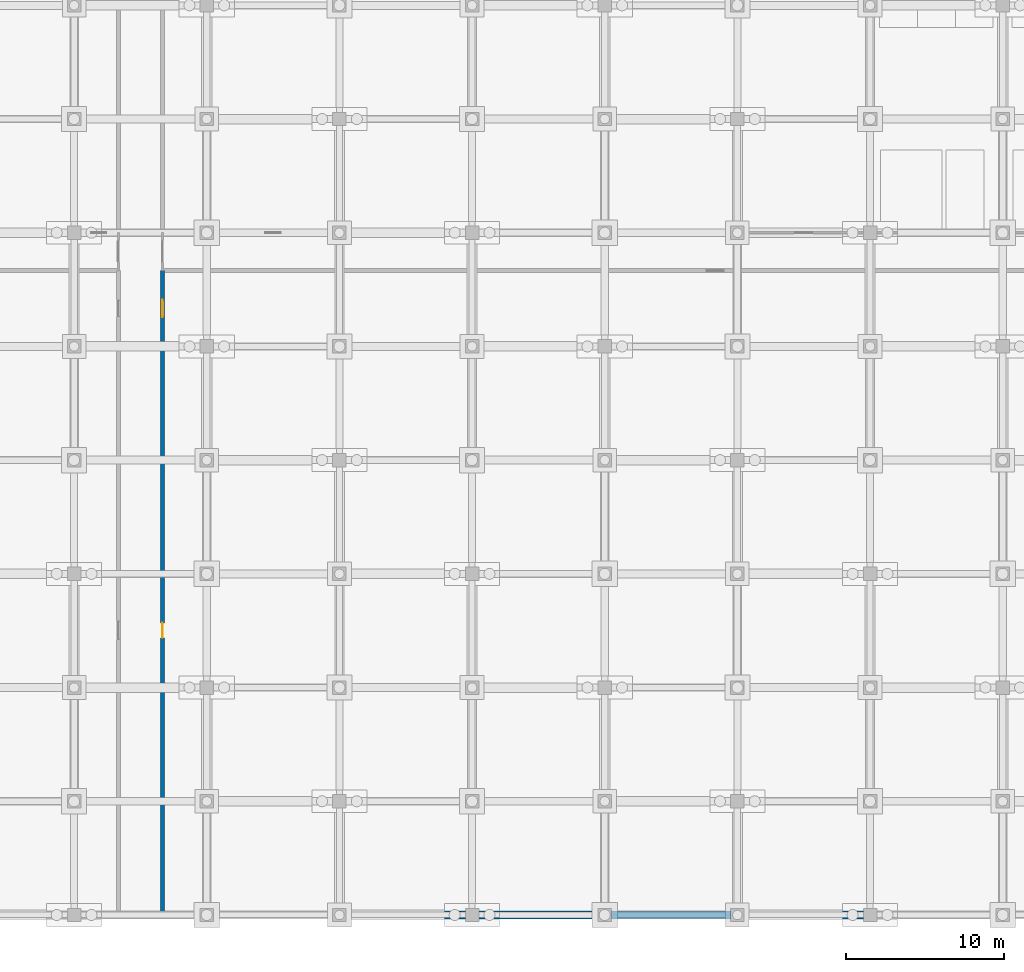
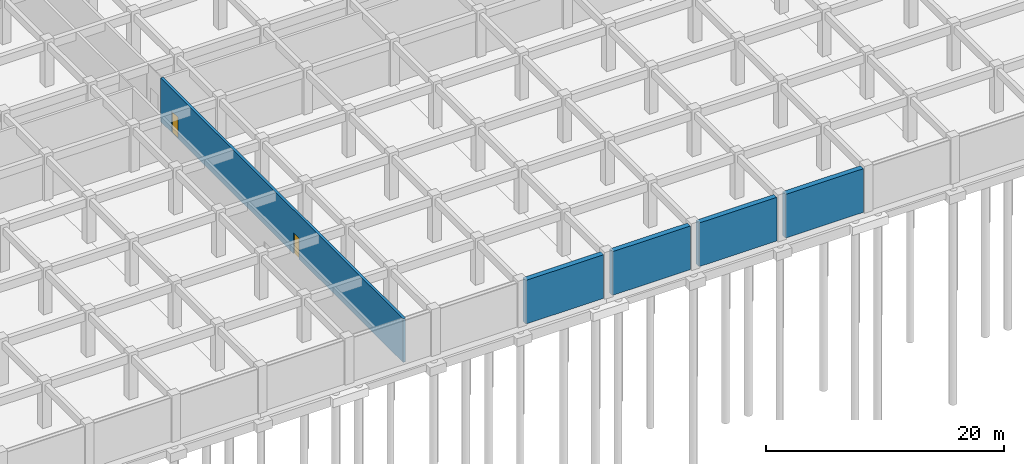
# One storey, part 28 of 85: 5 walls, 2 doors, 2 openings.
"""IFC4 building model written with IfcOpenShell, lengths in metres."""

from ifc_helpers import new_model, si_unit, direction, frame, frame_2d, origin, place, context, subcontext, project, spatial, rectangle, extrude, material, layer, layer_set, type_object, element, fill, save


model = new_model("IFC4")

# Units and contexts
model_context = context("Model", 3, precision=1e-05, world=origin(), true_north=direction((0.0, 1.0)))
body_context = subcontext(model_context, "Body", "Model", "MODEL_VIEW")
ifc_project = project(units=[si_unit("LENGTHUNIT", "METRE"), si_unit("AREAUNIT", "SQUARE_METRE"), si_unit("VOLUMEUNIT", "CUBIC_METRE"), si_unit("PLANEANGLEUNIT", "RADIAN"), si_unit("MASSUNIT", "GRAM", prefix="KILO")], contexts=[model_context])

# Site, building, storey
site_placement = place(None, origin())
site = spatial("IfcSite", under=ifc_project, at=site_placement, CompositionType="ELEMENT")
building_placement = place(site_placement, origin())
building = spatial("IfcBuilding", under=site, at=building_placement, Name="Chengyuan Square Courthouse", CompositionType="ELEMENT")
storey_placement = place(building_placement, frame((0.0, 0.0, -10.199951171875)))
storey = spatial("IfcBuildingStorey", under=building, at=storey_placement, Name="B02", CompositionType="ELEMENT", Elevation=-10.199951171875)

# Wall, openings, doors
ifc_material_1 = material(Name="Concrete C40", Category="concrete")
ifc_layer_1 = layer(ifc_material_1, 0.25)
ifc_layer_set_1 = layer_set([ifc_layer_1], Name="Concrete C40")
wall_type_1 = type_object("IfcWallType", Name="WL-FW1", PredefinedType="STANDARD", material=ifc_layer_set_1)
wall_1_placement = place(storey_placement, frame((81.199951171875, 0.0400390625, 0.0), z_axis=(0.0, 0.0, 1.0), x_axis=(0.0, 1.0, 0.0)))
wall_1 = element("IfcWall", 1, at=wall_1_placement, inside=storey, type_object=wall_type_1, Name="Interior Wall WL-B02-I195", PredefinedType="STANDARD", context=body_context, shape_type="SweptSolid", body=[
    extrude(rectangle(XDim=40.760009765625, YDim=0.25, at=frame_2d((20.3798828125, 0.0))), origin(), (0.0, 0.0, 1.0), 4.47998046875),
])
opening_1_placement = place(wall_1_placement, frame((17.5048828125, 0.0, 0.0)))
opening_1 = element("IfcOpeningElement", 2, at=opening_1_placement, cuts=wall_1, Name="Opening DR-321", PredefinedType="OPENING", context=body_context, shape_type="SweptSolid", body=[
    extrude(rectangle(XDim=0.949951171875, YDim=2.14990234375, at=frame_2d((0.47509765625, 1.074951171875))), frame((0.0, 0.136962890625, 0.0), z_axis=(0.0, -1.0, 0.0), x_axis=(1.0, 0.0, 0.0)), (0.0, 0.0, 1.0), 0.27392578125),
])
opening_2_placement = place(wall_1_placement, frame((37.81005859375, 0.0, 0.0)))
opening_2 = element("IfcOpeningElement", 3, at=opening_2_placement, cuts=wall_1, Name="Opening DR-322", PredefinedType="OPENING", context=body_context, shape_type="SweptSolid", body=[
    extrude(rectangle(XDim=1.10009765625, YDim=2.199951171875, at=frame_2d((0.550048828125, 1.10009765625))), frame((0.0, 0.136962890625, 0.0), z_axis=(0.0, -1.0, 0.0), x_axis=(1.0, 0.0, 0.0)), (0.0, 0.0, 1.0), 0.27392578125),
])
ifc_material_2 = material(Name="Steel Q235B Fire Door", Category="steel")
door_type_1 = type_object("IfcDoorType", Name="DT-10", OperationType="NOTDEFINED", PredefinedType="DOOR", material=ifc_material_2)
door_1_placement = place(opening_2_placement, origin())
door_1 = element("IfcDoor", 4, at=door_1_placement, inside=storey, type_object=door_type_1, Name="Interior Door DR-322", OperationType="SINGLE_SWING_LEFT", OverallHeight=2.199951171875, OverallWidth=1.10009765625, PredefinedType="DOOR", context=body_context, shape_type="SweptSolid", body=[
    extrude(rectangle(XDim=1.10009765625, YDim=2.199951171875, at=frame_2d((0.550048828125, 1.10009765625))), frame((0.0, 0.02490234375, 0.0), z_axis=(0.0, -1.0, 0.0), x_axis=(1.0, 0.0, 0.0)), (0.0, 0.0, 1.0), 0.050048828125),
])
fill(opening_2, door_1)
door_type_2 = type_object("IfcDoorType", Name="DT-12", OperationType="NOTDEFINED", PredefinedType="DOOR", material=ifc_material_2)
door_2_placement = place(opening_1_placement, origin())
door_2 = element("IfcDoor", 5, at=door_2_placement, inside=storey, type_object=door_type_2, Name="Interior Door DR-321", OperationType="SINGLE_SWING_RIGHT", OverallHeight=2.14990234375, OverallWidth=0.949951171875, PredefinedType="DOOR", context=body_context, shape_type="SweptSolid", body=[
    extrude(rectangle(XDim=0.949951171875, YDim=2.14990234375, at=frame_2d((0.47509765625, 1.074951171875))), frame((0.0, 0.02490234375, 0.0), z_axis=(0.0, -1.0, 0.0), x_axis=(1.0, 0.0, 0.0)), (0.0, 0.0, 1.0), 0.050048828125),
])
fill(opening_1, door_2)

# Walls
ifc_layer_2 = layer(ifc_material_1, 0.5)
ifc_layer_set_2 = layer_set([ifc_layer_2], Name="Concrete C40")
wall_type_2 = type_object("IfcWallType", Name="WL-RW1", PredefinedType="USERDEFINED", material=ifc_layer_set_2)
wall_2_placement = place(storey_placement, frame((92.820068359375, 0.0, 0.0), z_axis=(0.0, 0.0, 1.0), x_axis=(1.0, 0.0, 0.0)))
element("IfcWall", 6, at=wall_2_placement, inside=storey, type_object=wall_type_2, Name="Basement Retaining Wall WL-B02-E039", ObjectType="RETAININGWALL", PredefinedType="USERDEFINED", context=body_context, shape_type="SweptSolid", body=[
    extrude(rectangle(XDim=7.559814453125, YDim=0.5, at=frame_2d((3.77978515625, 0.0))), origin(), (0.0, 0.0, 1.0), 4.47998046875),
])
wall_3_placement = place(storey_placement, frame((101.219970703125, 0.0, 0.0), z_axis=(0.0, 0.0, 1.0), x_axis=(1.0, 0.0, 0.0)))
element("IfcWall", 7, at=wall_3_placement, inside=storey, type_object=wall_type_2, Name="Basement Retaining Wall WL-B02-E041", ObjectType="RETAININGWALL", PredefinedType="USERDEFINED", context=body_context, shape_type="SweptSolid", body=[
    extrude(rectangle(XDim=7.56005859375, YDim=0.5, at=frame_2d((3.780029296875, 0.0))), origin(), (0.0, 0.0, 1.0), 4.47998046875),
])
wall_4_placement = place(storey_placement, frame((109.6201171875, 0.0, 0.0), z_axis=(0.0, 0.0, 1.0), x_axis=(1.0, 0.0, 0.0)))
element("IfcWall", 8, at=wall_4_placement, inside=storey, type_object=wall_type_2, Name="Basement Retaining Wall WL-B02-E043", ObjectType="RETAININGWALL", PredefinedType="USERDEFINED", context=body_context, shape_type="SweptSolid", body=[
    extrude(rectangle(XDim=7.559814453125, YDim=0.5, at=frame_2d((3.77978515625, 0.0))), origin(), (0.0, 0.0, 1.0), 4.47998046875),
])
wall_5_placement = place(storey_placement, frame((118.02001953125, 0.0, 0.0), z_axis=(0.0, 0.0, 1.0), x_axis=(1.0, 0.0, 0.0)))
element("IfcWall", 9, at=wall_5_placement, inside=storey, type_object=wall_type_2, Name="Basement Retaining Wall WL-B02-E045", ObjectType="RETAININGWALL", PredefinedType="USERDEFINED", context=body_context, shape_type="SweptSolid", body=[
    extrude(rectangle(XDim=7.56005859375, YDim=0.5, at=frame_2d((3.780029296875, 0.0))), origin(), (0.0, 0.0, 1.0), 4.47998046875),
])

save(model, "model.ifc")
